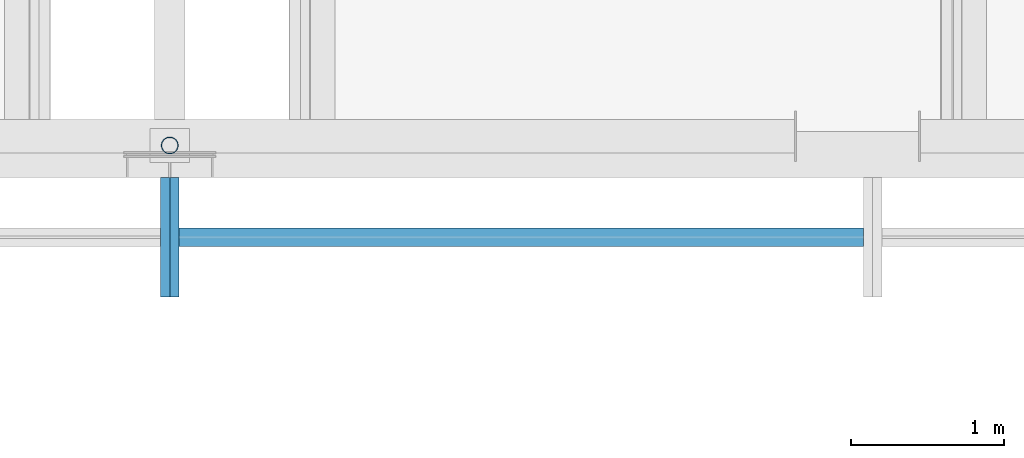
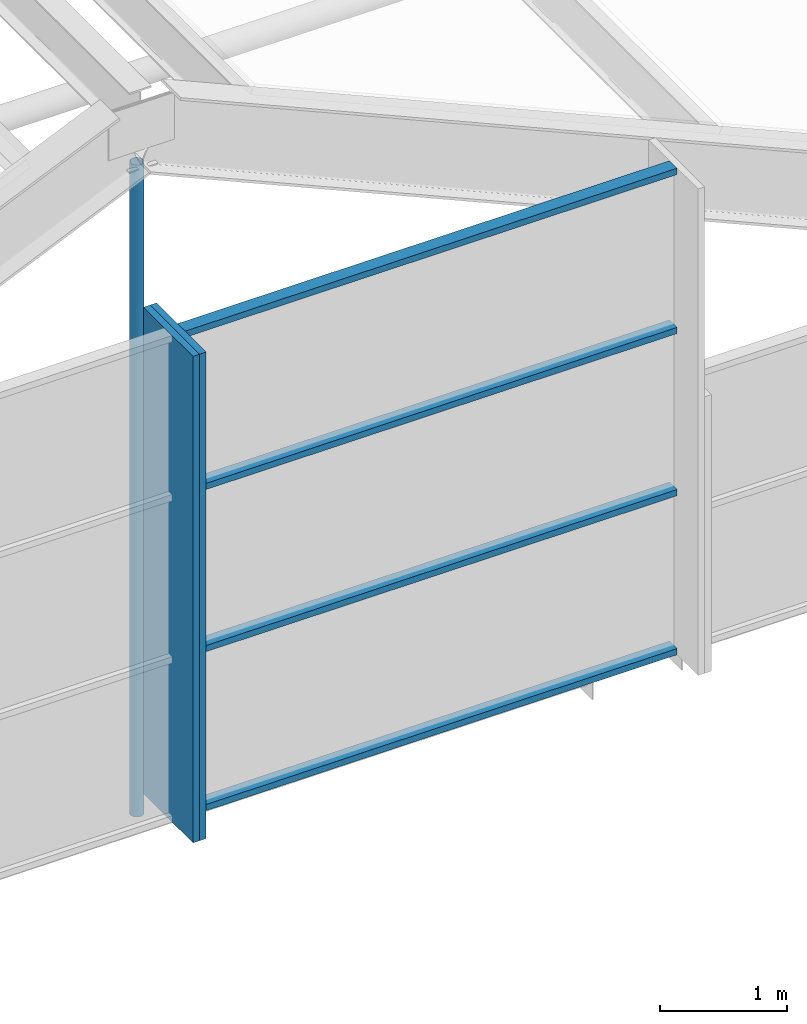
# One storey, part 37 of 106: 7 members, 2 elements without a shape of their own.
"""IFC4 building model written with IfcOpenShell, lengths in metres."""

from ifc_helpers import new_model, si_unit, direction, frame, origin, origin_2d, place, context, subcontext, project, spatial, rectangle, hollow_circle, extrude, material, layer, layer_set, material_profile, profile_set, type_object, element, aggregate, save


model = new_model("IFC4")

# Units and contexts
model_context = context("Model", 3, precision=1e-05, world=origin(), true_north=direction((0.0, 1.0)))
body_context = subcontext(model_context, "Body", "Model", "MODEL_VIEW")
ifc_project = project(units=[si_unit("LENGTHUNIT", "METRE"), si_unit("AREAUNIT", "SQUARE_METRE"), si_unit("VOLUMEUNIT", "CUBIC_METRE"), si_unit("PLANEANGLEUNIT", "RADIAN"), si_unit("MASSUNIT", "GRAM", prefix="KILO")], contexts=[model_context])

# Site, building, storey
site_placement = place(None, origin())
site = spatial("IfcSite", under=ifc_project, at=site_placement, CompositionType="ELEMENT")
building_placement = place(site_placement, origin())
building = spatial("IfcBuilding", under=site, at=building_placement, Name="Guidao Yard Department Store", CompositionType="ELEMENT")
storey_placement = place(building_placement, frame((0.0, 0.0, 10.5)))
storey = spatial("IfcBuildingStorey", under=building, at=storey_placement, Name="L02", CompositionType="ELEMENT", Elevation=10.5)

# Member
ifc_material_1 = material(Name="Steel Q355B", Category="steel")
ifc_material_profile_1 = material_profile(ifc_material_1, hollow_circle(Radius=0.056884765625, WallThickness=0.006103515625, at=origin_2d()), Name="CHS 114x6")
ifc_profile_set_1 = profile_set([ifc_material_profile_1], Name="Steel Q355B")
member_type_1 = type_object("IfcMemberType", Name="CHS 114x6", PredefinedType="BRACE", material=ifc_profile_set_1)
member_1_placement = place(storey_placement, frame((139.5, 54.06005859375, -0.33447265625), z_axis=(0.0, 0.0, 1.0), x_axis=(1.0, 0.0, 0.0)))
element("IfcMember", 1, at=member_1_placement, inside=storey, type_object=member_type_1, Name="Roof web strut F01-01", PredefinedType="BRACE", context=body_context, shape_type="SweptSolid", body=[
    extrude(hollow_circle(Radius=0.056884765625, WallThickness=0.006103515625, at=origin_2d()), origin(), (0.0, 0.0, 1.0), 6.272705078125),
])

# Curtain wall, member
ifc_material_2 = material(Name="Aluminium and glass", Category="aluminium")
ifc_layer = layer(ifc_material_2, 0.159912109375)
ifc_layer_set = layer_set([ifc_layer], Name="Gable glazing CW7 1500 module")
curtain_wall_type = type_object("IfcCurtainWallType", Name="Gable glazing CW7 1500 module", PredefinedType="NOTDEFINED", material=ifc_layer_set)
curtain_wall_1_placement = place(storey_placement, origin())
curtain_wall_1 = element("IfcCurtainWall", 2, at=curtain_wall_1_placement, inside=storey, type_object=curtain_wall_type, Name="Gable glazing FS3", PredefinedType="NOTDEFINED")
ifc_material_3 = material(Name="Aluminium 6063-T5", Category="aluminium")
ifc_material_profile_2 = material_profile(ifc_material_3, rectangle(XDim=0.06005859375, YDim=0.780029296875, at=origin_2d()), Name="Mullion M3 60 x 780 aluminium pressure plate")
ifc_profile_set_2 = profile_set([ifc_material_profile_2], Name="Aluminium 6063-T5")
member_type_2 = type_object("IfcMemberType", Name="Mullion M3 60 x 780 aluminium pressure plate", PredefinedType="MULLION", material=ifc_profile_set_2)
member_2_placement = place(storey_placement, frame((139.469970703125, 53.4599609375, 0.0), z_axis=(0.0, 0.0, 1.0), x_axis=(-1.0, 0.0, 0.0)))
member_2 = element("IfcMember", 3, at=member_2_placement, type_object=member_type_2, Name="CW-TFS3 mullion 2", PredefinedType="MULLION", context=body_context, shape_type="SweptSolid", body=[
    extrude(rectangle(XDim=0.06005859375, YDim=0.780029296875, at=origin_2d()), origin(), (0.0, 0.0, 1.0), 4.68212890625),
])
aggregate(curtain_wall_1, [member_2])

# Curtain wall, members
curtain_wall_2_placement = place(storey_placement, origin())
curtain_wall_2 = element("IfcCurtainWall", 4, at=curtain_wall_2_placement, inside=storey, type_object=curtain_wall_type, Name="Gable glazing FS4", PredefinedType="NOTDEFINED")
member_3_placement = place(storey_placement, frame((139.530029296875, 53.4599609375, 0.0), z_axis=(0.0, 0.0, 1.0), x_axis=(-1.0, 0.0, 0.0)))
member_3 = element("IfcMember", 5, at=member_3_placement, type_object=member_type_2, Name="CW-TFS4 mullion 1", PredefinedType="MULLION", context=body_context, shape_type="SweptSolid", body=[
    extrude(rectangle(XDim=0.06005859375, YDim=0.780029296875, at=origin_2d()), origin(), (0.0, 0.0, 1.0), 4.68212890625),
])
ifc_material_4 = material(Name="Aluminium 6063-T5", Category="aluminium")
ifc_material_profile_3 = material_profile(ifc_material_4, rectangle(XDim=0.1201171875, YDim=0.06005859375, at=origin_2d()), Name="Transom T1 60 x 120 aluminium pressure plate")
ifc_profile_set_3 = profile_set([ifc_material_profile_3], Name="Aluminium 6063-T5")
member_type_3 = type_object("IfcMemberType", Name="Transom T1 60 x 120 aluminium pressure plate", PredefinedType="USERDEFINED", material=ifc_profile_set_3)
member_4_placement = place(storey_placement, frame((144.038818359375, 53.4599609375, 0.030029296875), z_axis=(-1.0, 0.0, 0.0), x_axis=(0.0, -1.0, 0.0)))
member_4 = element("IfcMember", 6, at=member_4_placement, type_object=member_type_3, Name="CW-TFS4 transom 1.1", ObjectType="TRANSOM", PredefinedType="USERDEFINED", context=body_context, shape_type="SweptSolid", body=[
    extrude(rectangle(XDim=0.1201171875, YDim=0.06005859375, at=origin_2d()), origin(), (0.0, 0.0, 1.0), 4.478759765625),
])
member_5_placement = place(storey_placement, frame((144.038818359375, 53.4599609375, 1.560791015625), z_axis=(-1.0, 0.0, 0.0), x_axis=(0.0, -1.0, 0.0)))
member_5 = element("IfcMember", 7, at=member_5_placement, type_object=member_type_3, Name="CW-TFS4 transom 1.2", ObjectType="TRANSOM", PredefinedType="USERDEFINED", context=body_context, shape_type="SweptSolid", body=[
    extrude(rectangle(XDim=0.1201171875, YDim=0.06005859375, at=origin_2d()), origin(), (0.0, 0.0, 1.0), 4.478759765625),
])
member_6_placement = place(storey_placement, frame((144.038818359375, 53.4599609375, 3.121337890625), z_axis=(-1.0, 0.0, 0.0), x_axis=(0.0, -1.0, 0.0)))
member_6 = element("IfcMember", 8, at=member_6_placement, type_object=member_type_3, Name="CW-TFS4 transom 1.3", ObjectType="TRANSOM", PredefinedType="USERDEFINED", context=body_context, shape_type="SweptSolid", body=[
    extrude(rectangle(XDim=0.1201171875, YDim=0.06005859375, at=origin_2d()), origin(), (0.0, 0.0, 1.0), 4.478759765625),
])
member_7_placement = place(storey_placement, frame((144.038818359375, 53.4599609375, 4.652099609375), z_axis=(-1.0, 0.0, 0.0), x_axis=(0.0, -1.0, 0.0)))
member_7 = element("IfcMember", 9, at=member_7_placement, type_object=member_type_3, Name="CW-TFS4 transom 1.4", ObjectType="TRANSOM", PredefinedType="USERDEFINED", context=body_context, shape_type="SweptSolid", body=[
    extrude(rectangle(XDim=0.1201171875, YDim=0.06005859375, at=origin_2d()), origin(), (0.0, 0.0, 1.0), 4.478759765625),
])
aggregate(curtain_wall_2, [member_3, member_4, member_5, member_6, member_7])

save(model, "model.ifc")
